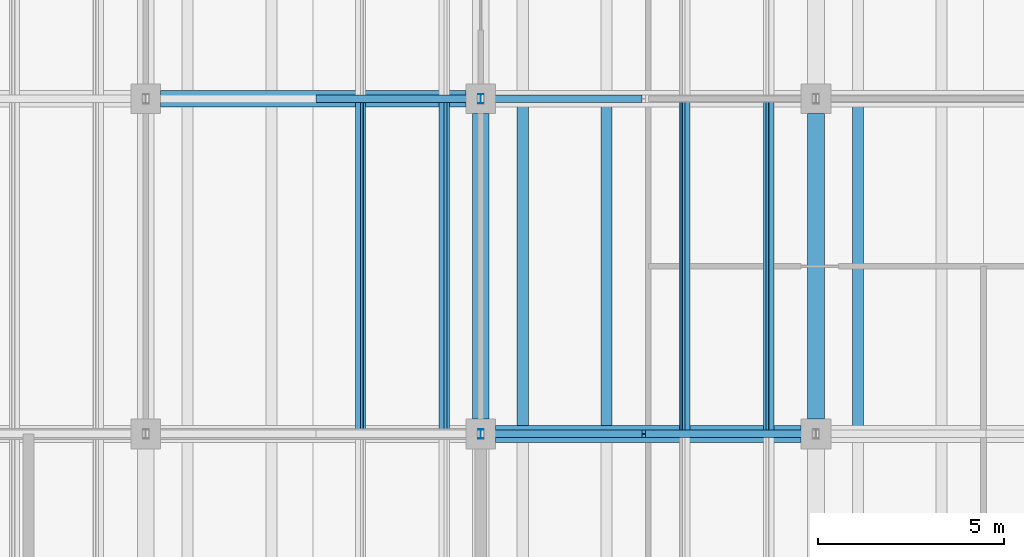
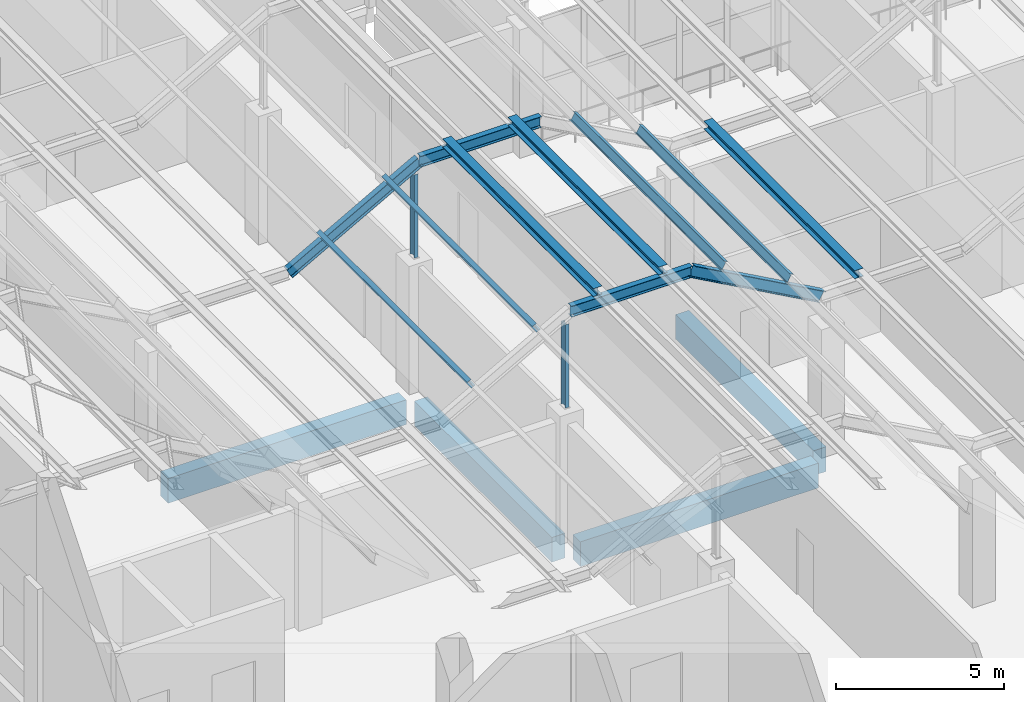
# One storey, part 17 of 437: 13 members, 4 beams.
"""IFC4 building model written with IfcOpenShell, lengths in metres."""

from ifc_helpers import new_model, si_unit, direction, frame, origin, origin_2d, place, context, subcontext, project, spatial, rectangle, i_section, extrude, material, material_profile, profile_set, type_object, element, save


model = new_model("IFC4")

# Units and contexts
model_context = context("Model", 3, precision=1e-05, world=origin(), true_north=direction((0.0, 1.0)))
body_context = subcontext(model_context, "Body", "Model", "MODEL_VIEW")
ifc_project = project(units=[si_unit("LENGTHUNIT", "METRE"), si_unit("AREAUNIT", "SQUARE_METRE"), si_unit("VOLUMEUNIT", "CUBIC_METRE"), si_unit("PLANEANGLEUNIT", "RADIAN"), si_unit("MASSUNIT", "GRAM", prefix="KILO")], contexts=[model_context])

# Site, building, storey
site_placement = place(None, origin())
site = spatial("IfcSite", under=ifc_project, at=site_placement, CompositionType="ELEMENT")
building_placement = place(site_placement, origin())
building = spatial("IfcBuilding", under=site, at=building_placement, Name="Opaline Strait Convention Centre", CompositionType="ELEMENT")
storey_placement = place(building_placement, frame((0.0, 0.0, 11.5)))
storey = spatial("IfcBuildingStorey", under=building, at=storey_placement, Name="L02", CompositionType="ELEMENT", Elevation=11.5)

# Members
ifc_material_1 = material(Name="Steel Q355B", Category="steel")
ifc_material_profile_1 = material_profile(ifc_material_1, i_section(OverallWidth=0.300048828125, OverallDepth=0.300048828125, WebThickness=0.010009765625, FlangeThickness=0.014892578125, FilletRadius=0.012939453125, at=origin_2d()), Name="HW 300x300x10x15")
ifc_profile_set_1 = profile_set([ifc_material_profile_1], Name="Steel Q355B")
member_type_1 = type_object("IfcMemberType", Name="Crest purlin HW 300x300x10x15", PredefinedType="PURLIN", material=ifc_profile_set_1)
for number, where, z_axis, x_axis, name in (
    (1, (28.125, 27.0, 8.449951171875), (0.0, 1.0, 0.0), (-1.0, 0.0, 0.0), "RU1 purlin facet 5 line 1"),
    (2, (30.375, 27.0, 8.449951171875), (0.0, 1.0, 0.0), (-1.0, 0.0, 0.0), "RU1 purlin facet 5 line 2"),
    (3, (37.125, 27.0, 5.949951171875), (0.0, 1.0, 0.0), (-1.0, 0.0, 0.0), "RU1 purlin facet 7 line 1"),
):
    element("IfcMember", number, at=place(storey_placement, frame(where, z_axis=z_axis, x_axis=x_axis)), inside=storey, type_object=member_type_1, Name=name, PredefinedType="PURLIN", context=body_context, shape_type="SweptSolid", body=[
        extrude(i_section(OverallWidth=0.300048828125, OverallDepth=0.300048828125, WebThickness=0.010009765625, FlangeThickness=0.014892578125, FilletRadius=0.012939453125, at=origin_2d()), origin(), (0.0, 0.0, 1.0), 9.0),
    ])

# Beams
ifc_material_2 = material(Name="Concrete C35", Category="concrete")
ifc_material_profile_2 = material_profile(ifc_material_2, rectangle(XDim=0.449951171875, YDim=0.89990234375, at=origin_2d()), Name="RC 450x900")
ifc_profile_set_2 = profile_set([ifc_material_profile_2], Name="Concrete C35")
beam_type = type_object("IfcBeamType", Name="RC beam 450x900 C35", PredefinedType="BEAM", material=ifc_profile_set_2)
for number, where, z_axis, x_axis, name in (
    (4, (27.39990234375, 27.0, -0.72998046875), (1.0, 0.0, 0.0), (0.0, 1.0, 0.0), "XB1 L02 27/27-36/27"),
    (5, (18.39990234375, 36.0, -0.72998046875), (1.0, 0.0, 0.0), (0.0, 1.0, 0.0), "XB1 L02 18/36-27/36"),
    (6, (27.0, 27.39990234375, -0.72998046875), (0.0, 1.0, 0.0), (-1.0, 0.0, 0.0), "XB1 L02 27/27-27/36"),
    (7, (36.0, 27.39990234375, -0.72998046875), (0.0, 1.0, 0.0), (-1.0, 0.0, 0.0), "XB1 L02 36/27-36/36"),
):
    element("IfcBeam", number, at=place(storey_placement, frame(where, z_axis=z_axis, x_axis=x_axis)), inside=storey, type_object=beam_type, Name=name, PredefinedType="BEAM", context=body_context, shape_type="SweptSolid", body=[
        extrude(rectangle(XDim=0.449951171875, YDim=0.89990234375, at=origin_2d()), origin(), (0.0, 0.0, 1.0), 8.2001953125),
    ])

# Members
ifc_material_profile_3 = material_profile(ifc_material_1, i_section(OverallWidth=0.125, OverallDepth=0.25, WebThickness=0.006103515625, FlangeThickness=0.009033203125, FilletRadius=0.008056640625, at=origin_2d()), Name="HN 250x125x6x9")
ifc_profile_set_3 = profile_set([ifc_material_profile_3], Name="Steel Q355B")
member_type_2 = type_object("IfcMemberType", Name="Roof post HN 250x125x6x9", PredefinedType="STRUT", material=ifc_profile_set_3)
for number, where, z_axis, x_axis, name in (
    (8, (27.0, 27.0, 4.68994140625), (0.0, 0.0, 1.0), (1.0, 0.0, 0.0), "RP1 roof post at 27/27"),
    (9, (27.0, 36.0, 4.68994140625), (0.0, 0.0, 1.0), (1.0, 0.0, 0.0), "RP1 roof post at 27/36"),
):
    element("IfcMember", number, at=place(storey_placement, frame(where, z_axis=z_axis, x_axis=x_axis)), inside=storey, type_object=member_type_2, Name=name, PredefinedType="STRUT", context=body_context, shape_type="SweptSolid", body=[
        extrude(i_section(OverallWidth=0.125, OverallDepth=0.25, WebThickness=0.006103515625, FlangeThickness=0.009033203125, FilletRadius=0.008056640625, at=origin_2d()), origin(), (0.0, 0.0, 1.0), 3.031005859375),
    ])
ifc_material_profile_4 = material_profile(ifc_material_1, i_section(OverallWidth=0.14990234375, OverallDepth=0.300048828125, WebThickness=0.006591796875, FlangeThickness=0.009033203125, FilletRadius=0.012939453125, at=origin_2d()), Name="HN 300x150x6.5x9")
ifc_profile_set_4 = profile_set([ifc_material_profile_4], Name="Steel Q355B")
member_type_3 = type_object("IfcMemberType", Name="Roof purlin HN 300x150x6.5x9", PredefinedType="PURLIN", material=ifc_profile_set_4)
for number, where, z_axis, x_axis, name in (
    (10, (23.770751953125, 27.0, 6.61279296875), (0.0, 1.0, 0.0), (-0.874157310866, 0.0, -0.485642868639), "RU1 purlin facet 4 line 1"),
    (11, (26.020751953125, 27.0, 7.86279296875), (0.0, 1.0, 0.0), (-0.874157310866, 0.0, -0.485642868639), "RU1 purlin facet 4 line 2"),
    (12, (32.479248046875, 27.0, 7.86279296875), (0.0, 1.0, 0.0), (-0.874157310866, 0.0, 0.485642868639), "RU1 purlin facet 6 line 1"),
    (13, (34.729248046875, 27.0, 6.61279296875), (0.0, 1.0, 0.0), (-0.874157310866, 0.0, 0.485642868639), "RU1 purlin facet 6 line 2"),
):
    element("IfcMember", number, at=place(storey_placement, frame(where, z_axis=z_axis, x_axis=x_axis)), inside=storey, type_object=member_type_3, Name=name, PredefinedType="PURLIN", context=body_context, shape_type="SweptSolid", body=[
        extrude(i_section(OverallWidth=0.14990234375, OverallDepth=0.300048828125, WebThickness=0.006591796875, FlangeThickness=0.009033203125, FilletRadius=0.012939453125, at=origin_2d()), origin(), (0.0, 0.0, 1.0), 9.0),
    ])
ifc_material_profile_5 = material_profile(ifc_material_1, i_section(OverallWidth=0.199951171875, OverallDepth=0.39990234375, WebThickness=0.008056640625, FlangeThickness=0.012939453125, FilletRadius=0.012939453125, at=origin_2d()), Name="HN 400x200x8x13")
ifc_profile_set_5 = profile_set([ifc_material_profile_5], Name="Steel Q355B")
member_type_4 = type_object("IfcMemberType", Name="Roof rafter HN 400x200x8x13", PredefinedType="RAFTER", material=ifc_profile_set_5)
member_1_placement = place(storey_placement, frame((27.16845703125, 27.0, 8.10009765625), z_axis=(1.0, 0.0, 0.0), x_axis=(0.0, 1.0, 0.0)))
element("IfcMember", 14, at=member_1_placement, inside=storey, type_object=member_type_4, Name="RR1 rafter line 3 facet 6", PredefinedType="RAFTER", context=body_context, shape_type="SweptSolid", body=[
    extrude(i_section(OverallWidth=0.199951171875, OverallDepth=0.39990234375, WebThickness=0.008056640625, FlangeThickness=0.012939453125, FilletRadius=0.012939453125, at=origin_2d()), origin(), (0.0, 0.0, 1.0), 4.1630859375),
])
for number, where, z_axis, x_axis, name in (
    (15, (31.33154296875, 27.0, 8.10009765625), (0.874157276122, 0.0, -0.485642931179), (0.0, 1.0, 0.0), "RR1 rafter line 3 facet 7"),
    (16, (22.66845703125, 36.0, 5.60009765625), (0.874157276122, 0.0, 0.485642931179), (0.0, 1.0, 0.0), "RR1 rafter line 4 facet 5"),
):
    element("IfcMember", number, at=place(storey_placement, frame(where, z_axis=z_axis, x_axis=x_axis)), inside=storey, type_object=member_type_4, Name=name, PredefinedType="RAFTER", context=body_context, shape_type="SweptSolid", body=[
        extrude(i_section(OverallWidth=0.199951171875, OverallDepth=0.39990234375, WebThickness=0.008056640625, FlangeThickness=0.012939453125, FilletRadius=0.012939453125, at=origin_2d()), origin(), (0.0, 0.0, 1.0), 5.147705078125),
    ])
member_2_placement = place(storey_placement, frame((27.16845703125, 36.0, 8.10009765625), z_axis=(1.0, 0.0, 0.0), x_axis=(0.0, 1.0, 0.0)))
element("IfcMember", 17, at=member_2_placement, inside=storey, type_object=member_type_4, Name="RR1 rafter line 4 facet 6", PredefinedType="RAFTER", context=body_context, shape_type="SweptSolid", body=[
    extrude(i_section(OverallWidth=0.199951171875, OverallDepth=0.39990234375, WebThickness=0.008056640625, FlangeThickness=0.012939453125, FilletRadius=0.012939453125, at=origin_2d()), origin(), (0.0, 0.0, 1.0), 4.1630859375),
])

save(model, "model.ifc")
